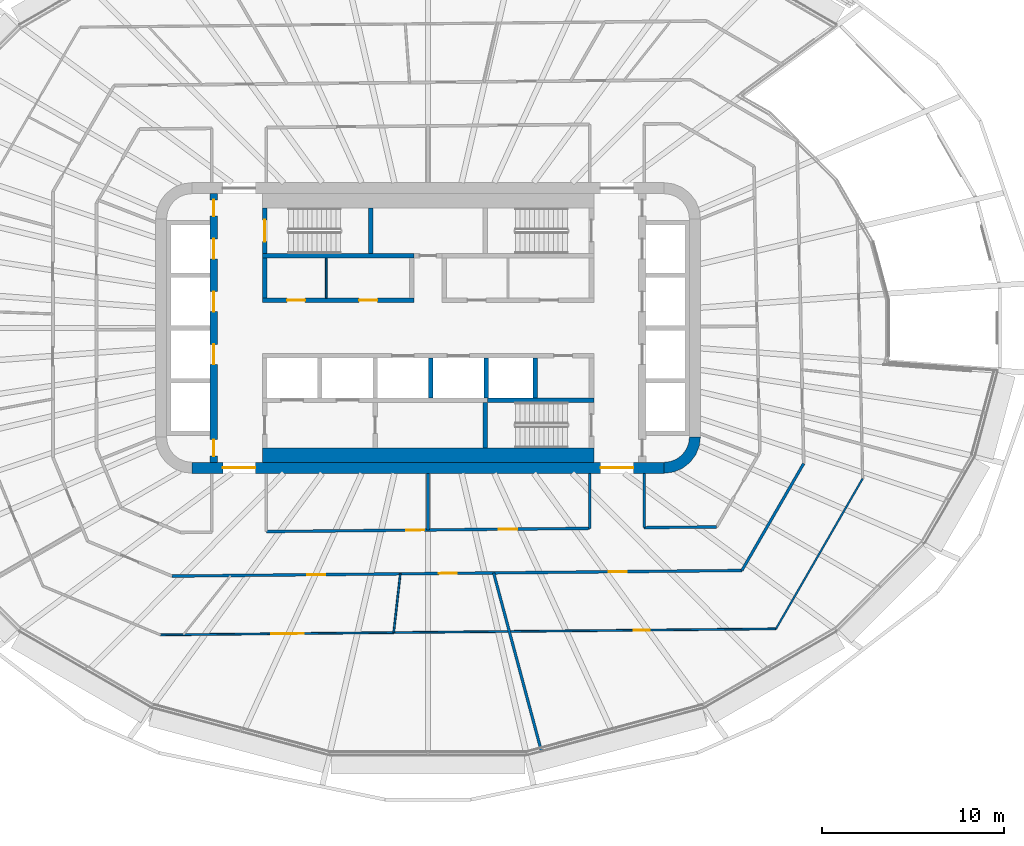
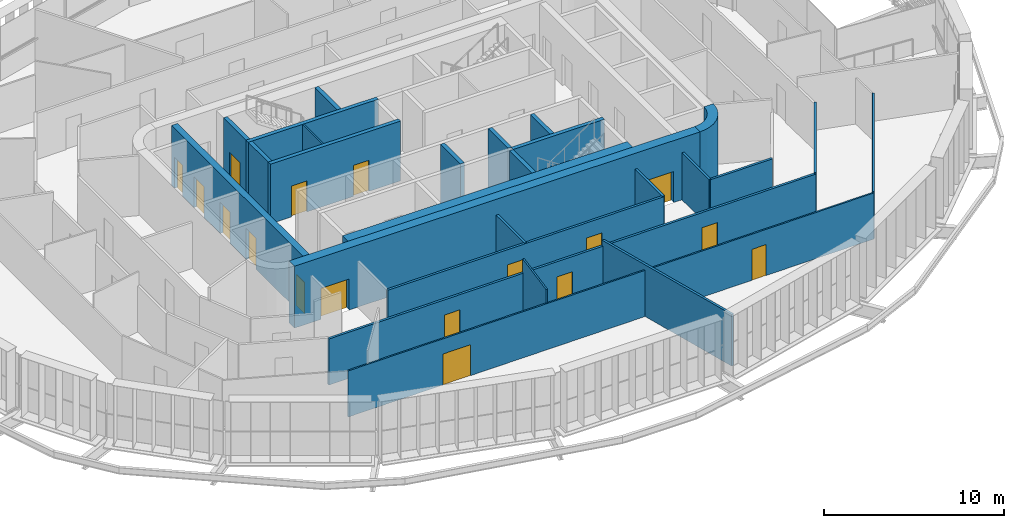
# One storey, part 15 of 28: 26 walls, 17 doors, 17 openings.
"""IFC4 building model written with IfcOpenShell, lengths in metres."""

from ifc_helpers import new_model, si_unit, direction, frame, frame_2d, origin, place, context, subcontext, project, spatial, polyline, rectangle, outline, extrude, material, layer, layer_set, type_object, element, fill, save


model = new_model("IFC4")

# Units and contexts
model_context = context("Model", 3, precision=1e-05, world=origin(), true_north=direction((0.0, 1.0)))
body_context = subcontext(model_context, "Body", "Model", "MODEL_VIEW")
ifc_project = project(units=[si_unit("LENGTHUNIT", "METRE"), si_unit("AREAUNIT", "SQUARE_METRE"), si_unit("VOLUMEUNIT", "CUBIC_METRE"), si_unit("PLANEANGLEUNIT", "RADIAN"), si_unit("MASSUNIT", "GRAM", prefix="KILO")], contexts=[model_context])

# Site, building, storey
site_placement = place(None, origin())
site = spatial("IfcSite", under=ifc_project, at=site_placement, CompositionType="ELEMENT")
building_placement = place(site_placement, origin())
building = spatial("IfcBuilding", under=site, at=building_placement, Name="Sahrelin Media Tower", CompositionType="ELEMENT")
storey_placement = place(building_placement, frame((0.0, 0.0, 75.60009765625)))
storey = spatial("IfcBuildingStorey", under=building, at=storey_placement, Name="L13", CompositionType="ELEMENT", Elevation=75.60009765625)

# Wall, openings, doors
ifc_material_1 = material(Name="Concrete C60/75", Category="concrete")
ifc_layer_1 = layer(ifc_material_1, 0.60009765625)
ifc_layer_set_1 = layer_set([ifc_layer_1], Name="Core wall 600")
wall_type_1 = type_object("IfcWallType", Name="Core wall 600", PredefinedType="SHEAR", material=ifc_layer_set_1)
wall_1_placement = place(storey_placement, frame((-13.0, -7.699951171875, 0.0), z_axis=(0.0, 0.0, 1.0), x_axis=(1.0, 0.0, 0.0)))
wall_1 = element("IfcWall", 1, at=wall_1_placement, inside=storey, type_object=wall_type_1, Name="Core wall S L13", PredefinedType="SHEAR", context=body_context, shape_type="SweptSolid", body=[
    extrude(rectangle(XDim=26.0, YDim=0.60009765625, at=frame_2d((13.0, 0.0))), origin(), (0.0, 0.0, 1.0), 4.199951171875),
])
opening_1_placement = place(wall_1_placement, frame((1.699951171875, 0.0, 0.0)))
opening_1 = element("IfcOpeningElement", 2, at=opening_1_placement, cuts=wall_1, Name="Opening L13-D18", PredefinedType="OPENING", context=body_context, shape_type="SweptSolid", body=[
    extrude(rectangle(XDim=1.800048828125, YDim=2.10009765625, at=frame_2d((0.89990234375, 1.050048828125))), frame((0.0, 0.300048828125, 0.0), z_axis=(0.0, -1.0, 0.0), x_axis=(1.0, 0.0, 0.0)), (0.0, 0.0, 1.0), 0.60009765625),
])
opening_2_placement = place(wall_1_placement, frame((22.5, 0.0, 0.0)))
opening_2 = element("IfcOpeningElement", 3, at=opening_2_placement, cuts=wall_1, Name="Opening L13-D19", PredefinedType="OPENING", context=body_context, shape_type="SweptSolid", body=[
    extrude(rectangle(XDim=1.800048828125, YDim=2.10009765625, at=frame_2d((0.89990234375, 1.050048828125))), frame((0.0, 0.300048828125, 0.0), z_axis=(0.0, -1.0, 0.0), x_axis=(1.0, 0.0, 0.0)), (0.0, 0.0, 1.0), 0.60009765625),
])
ifc_material_2 = material(Name="Steel fire door leaf", Category="steel")
door_type_1 = type_object("IfcDoorType", Name="Lobby double door 1800 x 2100 EI 60", OperationType="DOUBLE_DOOR_SINGLE_SWING", PredefinedType="DOOR", material=ifc_material_2)
door_1_placement = place(opening_1_placement, origin())
door_1 = element("IfcDoor", 4, at=door_1_placement, inside=storey, type_object=door_type_1, Name="Lobby door", OperationType="DOUBLE_DOOR_SINGLE_SWING", OverallHeight=2.10009765625, OverallWidth=1.800048828125, PredefinedType="DOOR", context=body_context, shape_type="SweptSolid", body=[
    extrude(rectangle(XDim=1.800048828125, YDim=2.10009765625, at=frame_2d((0.89990234375, 1.050048828125))), frame((0.0, 0.02490234375, 0.0), z_axis=(0.0, -1.0, 0.0), x_axis=(1.0, 0.0, 0.0)), (0.0, 0.0, 1.0), 0.050048828125),
])
fill(opening_1, door_1)
door_2_placement = place(opening_2_placement, origin())
door_2 = element("IfcDoor", 5, at=door_2_placement, inside=storey, type_object=door_type_1, Name="Lobby door", OperationType="DOUBLE_DOOR_SINGLE_SWING", OverallHeight=2.10009765625, OverallWidth=1.800048828125, PredefinedType="DOOR", context=body_context, shape_type="SweptSolid", body=[
    extrude(rectangle(XDim=1.800048828125, YDim=2.10009765625, at=frame_2d((0.89990234375, 1.050048828125))), frame((0.0, 0.02490234375, 0.0), z_axis=(0.0, -1.0, 0.0), x_axis=(1.0, 0.0, 0.0)), (0.0, 0.0, 1.0), 0.050048828125),
])
fill(opening_2, door_2)

# Wall
wall_2_placement = place(storey_placement, origin())
element("IfcWall", 6, at=wall_2_placement, inside=storey, type_object=wall_type_1, Name="Core wall corner SE L13", PredefinedType="SHEAR", context=body_context, shape_type="SweptSolid", body=[
    extrude(outline(polyline([(15.0, -6.0), (14.394775390625, -6.0), (14.347412109375, -6.361083984375), (14.2080078125, -6.697509765625), (13.986328125, -6.986328125), (13.697509765625, -7.2080078125), (13.361083984375, -7.347412109375), (13.0, -7.394775390625), (13.0, -8.0), (13.517578125, -7.931884765625), (14.0, -7.732177734375), (14.414306640625, -7.414306640625), (14.732177734375, -7.0), (14.931884765625, -6.517578125), (15.0, -6.0)])), origin(), (0.0, 0.0, 1.0), 4.199951171875),
])

# Wall, openings, doors
ifc_material_3 = material(Name="Fire-rated gypsum board partition")
ifc_layer_2 = layer(ifc_material_3, 0.25)
ifc_layer_set_2 = layer_set([ifc_layer_2], Name="Fire-rated lobby wall 250")
wall_type_2 = type_object("IfcWallType", Name="Fire-rated lobby wall 250", PredefinedType="PARTITIONING", material=ifc_layer_set_2)
wall_3_placement = place(storey_placement, frame((-9.125, 1.52490234375, 0.0), z_axis=(0.0, 0.0, 1.0), x_axis=(1.0, 0.0, 0.0)))
wall_3 = element("IfcWall", 7, at=wall_3_placement, inside=storey, type_object=wall_type_2, Name="Core lobby wall", PredefinedType="PARTITIONING", context=body_context, shape_type="SweptSolid", body=[
    extrude(rectangle(XDim=8.35009765625, YDim=0.25, at=frame_2d((4.175048828125, 0.0))), origin(), (0.0, 0.0, 1.0), 4.0498046875),
])
opening_3_placement = place(wall_3_placement, frame((1.362548828125, 0.0, 0.0)))
opening_3 = element("IfcOpeningElement", 8, at=opening_3_placement, cuts=wall_3, Name="Opening L13-D07", PredefinedType="OPENING", context=body_context, shape_type="SweptSolid", body=[
    extrude(rectangle(XDim=1.0, YDim=2.10009765625, at=frame_2d((0.5, 1.050048828125))), frame((0.0, 0.125, 0.0), z_axis=(0.0, -1.0, 0.0), x_axis=(1.0, 0.0, 0.0)), (0.0, 0.0, 1.0), 0.25),
])
opening_4_placement = place(wall_3_placement, frame((5.33740234375, 0.0, 0.0)))
opening_4 = element("IfcOpeningElement", 9, at=opening_4_placement, cuts=wall_3, Name="Opening L13-D08", PredefinedType="OPENING", context=body_context, shape_type="SweptSolid", body=[
    extrude(rectangle(XDim=1.0, YDim=2.10009765625, at=frame_2d((0.5, 1.050048828125))), frame((0.0, 0.125, 0.0), z_axis=(0.0, -1.0, 0.0), x_axis=(1.0, 0.0, 0.0)), (0.0, 0.0, 1.0), 0.25),
])
door_type_2 = type_object("IfcDoorType", Name="Fire door 1000 x 2100 EI 60", OperationType="NOTDEFINED", PredefinedType="DOOR", material=ifc_material_2)
door_3_placement = place(opening_3_placement, origin())
door_3 = element("IfcDoor", 10, at=door_3_placement, inside=storey, type_object=door_type_2, Name="Core room door", OperationType="SINGLE_SWING_LEFT", OverallHeight=2.10009765625, OverallWidth=1.0, PredefinedType="DOOR", context=body_context, shape_type="SweptSolid", body=[
    extrude(rectangle(XDim=1.0, YDim=2.10009765625, at=frame_2d((0.5, 1.050048828125))), frame((0.0, 0.02490234375, 0.0), z_axis=(0.0, -1.0, 0.0), x_axis=(1.0, 0.0, 0.0)), (0.0, 0.0, 1.0), 0.050048828125),
])
fill(opening_3, door_3)
door_4_placement = place(opening_4_placement, origin())
door_4 = element("IfcDoor", 11, at=door_4_placement, inside=storey, type_object=door_type_2, Name="Core room door", OperationType="SINGLE_SWING_LEFT", OverallHeight=2.10009765625, OverallWidth=1.0, PredefinedType="DOOR", context=body_context, shape_type="SweptSolid", body=[
    extrude(rectangle(XDim=1.0, YDim=2.10009765625, at=frame_2d((0.5, 1.050048828125))), frame((0.0, 0.02490234375, 0.0), z_axis=(0.0, -1.0, 0.0), x_axis=(1.0, 0.0, 0.0)), (0.0, 0.0, 1.0), 0.050048828125),
])
fill(opening_4, door_4)

# Walls
wall_4_placement = place(storey_placement, frame((-9.0, 1.64990234375, 0.0), z_axis=(0.0, 0.0, 1.0), x_axis=(0.0, 1.0, 0.0)))
element("IfcWall", 12, at=wall_4_placement, inside=storey, type_object=wall_type_2, Name="Core lobby wall", PredefinedType="PARTITIONING", context=body_context, shape_type="SweptSolid", body=[
    extrude(rectangle(XDim=2.2001953125, YDim=0.25, at=frame_2d((1.10009765625, 0.0))), origin(), (0.0, 0.0, 1.0), 4.0498046875),
])
ifc_layer_3 = layer(ifc_material_3, 0.10009765625)
ifc_layer_set_3 = layer_set([ifc_layer_3], Name="Fire-rated partition 100")
wall_type_3 = type_object("IfcWallType", Name="Fire-rated partition 100", PredefinedType="PARTITIONING", material=ifc_layer_set_3)
wall_5_placement = place(storey_placement, frame((-5.60009765625, 1.64990234375, 0.0), z_axis=(0.0, 0.0, 1.0), x_axis=(0.0, 1.0, 0.0)))
element("IfcWall", 13, at=wall_5_placement, inside=storey, type_object=wall_type_3, Name="Core room partition", PredefinedType="PARTITIONING", context=body_context, shape_type="SweptSolid", body=[
    extrude(rectangle(XDim=2.2001953125, YDim=0.10009765625, at=frame_2d((1.10009765625, 0.0))), origin(), (0.0, 0.0, 1.0), 4.0498046875),
])
ifc_layer_4 = layer(ifc_material_3, 0.14990234375)
ifc_layer_set_4 = layer_set([ifc_layer_4], Name="Fire-rated partition 150")
wall_type_4 = type_object("IfcWallType", Name="Fire-rated partition 150", PredefinedType="PARTITIONING", material=ifc_layer_set_4)
wall_6_placement = place(storey_placement, frame((3.613037109375, -13.485107421875, 0.0), z_axis=(0.0, 0.0, 1.0), x_axis=(0.258799691225, -0.965931011937, 0.0)))
element("IfcWall", 14, at=wall_6_placement, inside=storey, type_object=wall_type_4, Name="Wall", PredefinedType="PARTITIONING", context=body_context, shape_type="SweptSolid", body=[
    extrude(rectangle(XDim=10.16845703125, YDim=0.14990234375, at=frame_2d((5.084228515625, 0.0))), origin(), (0.0, 0.0, 1.0), 3.501708984375),
])

# Wall, openings, doors
wall_7_placement = place(storey_placement, frame((-14.096923828125, -13.660888671875, 0.0), z_axis=(0.0, 0.0, 1.0), x_axis=(0.999950951425, 0.009904279054, 0.0)))
wall_7 = element("IfcWall", 15, at=wall_7_placement, inside=storey, type_object=wall_type_4, Name="Wall", PredefinedType="PARTITIONING", context=body_context, shape_type="SweptSolid", body=[
    extrude(rectangle(XDim=31.37939453125, YDim=0.14990234375, at=frame_2d((15.689697265625, 0.0))), origin(), (0.0, 0.0, 1.0), 3.126953125),
])
opening_5_placement = place(wall_7_placement, frame((7.4501953125, 0.0, 0.0)))
opening_5 = element("IfcOpeningElement", 16, at=opening_5_placement, cuts=wall_7, Name="Opening L13-D33", PredefinedType="OPENING", context=body_context, shape_type="SweptSolid", body=[
    extrude(rectangle(XDim=1.0, YDim=2.10009765625, at=frame_2d((0.5, 1.050048828125))), frame((0.0, 0.074951171875, 0.0), z_axis=(0.0, -1.0, 0.0), x_axis=(1.0, 0.0, 0.0)), (0.0, 0.0, 1.0), 0.14990234375),
])
opening_6_placement = place(wall_7_placement, frame((14.692138671875, 0.0, 0.0)))
opening_6 = element("IfcOpeningElement", 17, at=opening_6_placement, cuts=wall_7, Name="Opening L13-D34", PredefinedType="OPENING", context=body_context, shape_type="SweptSolid", body=[
    extrude(rectangle(XDim=1.0, YDim=2.10009765625, at=frame_2d((0.5, 1.050048828125))), frame((0.0, 0.074951171875, 0.0), z_axis=(0.0, -1.0, 0.0), x_axis=(1.0, 0.0, 0.0)), (0.0, 0.0, 1.0), 0.14990234375),
])
opening_7_placement = place(wall_7_placement, frame((24.045654296875, 0.0, 0.0)))
opening_7 = element("IfcOpeningElement", 18, at=opening_7_placement, cuts=wall_7, Name="Opening L13-D36", PredefinedType="OPENING", context=body_context, shape_type="SweptSolid", body=[
    extrude(rectangle(XDim=1.0, YDim=2.10009765625, at=frame_2d((0.5, 1.050048828125))), frame((0.0, 0.074951171875, 0.0), z_axis=(0.0, -1.0, 0.0), x_axis=(1.0, 0.0, 0.0)), (0.0, 0.0, 1.0), 0.14990234375),
])
door_5_placement = place(opening_5_placement, origin())
door_5 = element("IfcDoor", 19, at=door_5_placement, inside=storey, type_object=door_type_2, Name="Fire door", OperationType="SINGLE_SWING_LEFT", OverallHeight=2.10009765625, OverallWidth=1.0, PredefinedType="DOOR", context=body_context, shape_type="SweptSolid", body=[
    extrude(rectangle(XDim=1.0, YDim=2.10009765625, at=frame_2d((0.5, 1.050048828125))), frame((0.0, 0.02490234375, 0.0), z_axis=(0.0, -1.0, 0.0), x_axis=(1.0, 0.0, 0.0)), (0.0, 0.0, 1.0), 0.050048828125),
])
fill(opening_5, door_5)
door_6_placement = place(opening_6_placement, origin())
door_6 = element("IfcDoor", 20, at=door_6_placement, inside=storey, type_object=door_type_2, Name="Fire door", OperationType="SINGLE_SWING_LEFT", OverallHeight=2.10009765625, OverallWidth=1.0, PredefinedType="DOOR", context=body_context, shape_type="SweptSolid", body=[
    extrude(rectangle(XDim=1.0, YDim=2.10009765625, at=frame_2d((0.5, 1.050048828125))), frame((0.0, 0.02490234375, 0.0), z_axis=(0.0, -1.0, 0.0), x_axis=(1.0, 0.0, 0.0)), (0.0, 0.0, 1.0), 0.050048828125),
])
fill(opening_6, door_6)
door_7_placement = place(opening_7_placement, origin())
door_7 = element("IfcDoor", 21, at=door_7_placement, inside=storey, type_object=door_type_2, Name="Fire door", OperationType="SINGLE_SWING_LEFT", OverallHeight=2.10009765625, OverallWidth=1.0, PredefinedType="DOOR", context=body_context, shape_type="SweptSolid", body=[
    extrude(rectangle(XDim=1.0, YDim=2.10009765625, at=frame_2d((0.5, 1.050048828125))), frame((0.0, 0.02490234375, 0.0), z_axis=(0.0, -1.0, 0.0), x_axis=(1.0, 0.0, 0.0)), (0.0, 0.0, 1.0), 0.050048828125),
])
fill(opening_7, door_7)

wall_8_placement = place(storey_placement, frame((-8.89990234375, -11.208740234375, 0.0), z_axis=(0.0, 0.0, 1.0), x_axis=(0.999950969978, 0.009902405776, 0.0)))
wall_8 = element("IfcWall", 22, at=wall_8_placement, inside=storey, type_object=wall_type_4, Name="Wall", PredefinedType="PARTITIONING", context=body_context, shape_type="SweptSolid", body=[
    extrude(rectangle(XDim=17.80078125, YDim=0.14990234375, at=frame_2d((8.900390625, 0.0))), origin(), (0.0, 0.0, 1.0), 3.126953125),
])
opening_8_placement = place(wall_8_placement, frame((7.69970703125, 0.0, 0.0)))
opening_8 = element("IfcOpeningElement", 23, at=opening_8_placement, cuts=wall_8, Name="Opening L13-D20", PredefinedType="OPENING", context=body_context, shape_type="SweptSolid", body=[
    extrude(rectangle(XDim=1.0, YDim=2.10009765625, at=frame_2d((0.5, 1.050048828125))), frame((0.0, 0.074951171875, 0.0), z_axis=(0.0, -1.0, 0.0), x_axis=(1.0, 0.0, 0.0)), (0.0, 0.0, 1.0), 0.14990234375),
])
opening_9_placement = place(wall_8_placement, frame((12.80078125, 0.0, 0.0)))
opening_9 = element("IfcOpeningElement", 24, at=opening_9_placement, cuts=wall_8, Name="Opening L13-D21", PredefinedType="OPENING", context=body_context, shape_type="SweptSolid", body=[
    extrude(rectangle(XDim=1.0, YDim=2.10009765625, at=frame_2d((0.5, 1.050048828125))), frame((0.0, 0.074951171875, 0.0), z_axis=(0.0, -1.0, 0.0), x_axis=(1.0, 0.0, 0.0)), (0.0, 0.0, 1.0), 0.14990234375),
])
door_8_placement = place(opening_8_placement, origin())
door_8 = element("IfcDoor", 25, at=door_8_placement, inside=storey, type_object=door_type_2, Name="Fire door", OperationType="SINGLE_SWING_LEFT", OverallHeight=2.10009765625, OverallWidth=1.0, PredefinedType="DOOR", context=body_context, shape_type="SweptSolid", body=[
    extrude(rectangle(XDim=1.0, YDim=2.10009765625, at=frame_2d((0.5, 1.050048828125))), frame((0.0, 0.02490234375, 0.0), z_axis=(0.0, -1.0, 0.0), x_axis=(1.0, 0.0, 0.0)), (0.0, 0.0, 1.0), 0.050048828125),
])
fill(opening_8, door_8)
door_9_placement = place(opening_9_placement, origin())
door_9 = element("IfcDoor", 26, at=door_9_placement, inside=storey, type_object=door_type_2, Name="Fire door", OperationType="SINGLE_SWING_RIGHT", OverallHeight=2.10009765625, OverallWidth=1.0, PredefinedType="DOOR", context=body_context, shape_type="SweptSolid", body=[
    extrude(rectangle(XDim=1.0, YDim=2.10009765625, at=frame_2d((0.5, 1.050048828125))), frame((0.0, 0.02490234375, 0.0), z_axis=(0.0, -1.0, 0.0), x_axis=(1.0, 0.0, 0.0)), (0.0, 0.0, 1.0), 0.050048828125),
])
fill(opening_9, door_9)

# Walls
wall_9_placement = place(storey_placement, frame((11.89990234375, -10.991943359375, 0.0), z_axis=(0.0, 0.0, 1.0), x_axis=(0.999950802569, 0.009919296431, 0.0)))
element("IfcWall", 27, at=wall_9_placement, inside=storey, type_object=wall_type_4, Name="Wall", PredefinedType="PARTITIONING", context=body_context, shape_type="SweptSolid", body=[
    extrude(rectangle(XDim=3.9873046875, YDim=0.14990234375, at=frame_2d((1.99365234375, 0.0))), origin(), (0.0, 0.0, 1.0), 3.195068359375),
])
wall_10_placement = place(storey_placement, frame((17.281005859375, -13.35009765625, 0.0), z_axis=(0.0, 0.0, 1.0), x_axis=(0.500235133997, 0.865889606541, 0.0)))
element("IfcWall", 28, at=wall_10_placement, inside=storey, type_object=wall_type_4, Name="Wall", PredefinedType="PARTITIONING", context=body_context, shape_type="SweptSolid", body=[
    extrude(rectangle(XDim=6.801025390625, YDim=0.14990234375, at=frame_2d((3.400390625, 0.0))), origin(), (0.0, 0.0, 1.0), 3.195068359375),
])
wall_11_placement = place(storey_placement, frame((11.89990234375, -10.991943359375, 0.0), z_axis=(0.0, 0.0, 1.0), x_axis=(0.0, 1.0, 0.0)))
element("IfcWall", 29, at=wall_11_placement, inside=storey, type_object=wall_type_4, Name="Wall", PredefinedType="PARTITIONING", context=body_context, shape_type="SweptSolid", body=[
    extrude(rectangle(XDim=2.991943359375, YDim=0.14990234375, at=frame_2d((1.49609375, 0.0))), origin(), (0.0, 0.0, 1.0), 3.195068359375),
])
wall_12_placement = place(storey_placement, frame((8.89990234375, -11.031982421875, 0.0), z_axis=(0.0, 0.0, 1.0), x_axis=(0.0, 1.0, 0.0)))
element("IfcWall", 30, at=wall_12_placement, inside=storey, type_object=wall_type_4, Name="Wall", PredefinedType="PARTITIONING", context=body_context, shape_type="SweptSolid", body=[
    extrude(rectangle(XDim=3.031982421875, YDim=0.14990234375, at=frame_2d((1.51611328125, 0.0))), origin(), (0.0, 0.0, 1.0), 3.126953125),
])
wall_13_placement = place(storey_placement, frame((0.0, -11.1201171875, 0.0), z_axis=(0.0, 0.0, 1.0), x_axis=(0.0, 1.0, 0.0)))
element("IfcWall", 31, at=wall_13_placement, inside=storey, type_object=wall_type_4, Name="Wall", PredefinedType="PARTITIONING", context=body_context, shape_type="SweptSolid", body=[
    extrude(rectangle(XDim=3.1201171875, YDim=0.14990234375, at=frame_2d((1.56005859375, 0.0))), origin(), (0.0, 0.0, 1.0), 3.126953125),
])
ifc_layer_5 = layer(ifc_material_1, 0.25)
ifc_layer_set_5 = layer_set([ifc_layer_5], Name="Lift shaft wall 250")
wall_type_5 = type_object("IfcWallType", Name="Lift shaft wall 250", PredefinedType="SOLIDWALL", material=ifc_layer_set_5)
wall_14_placement = place(storey_placement, frame((3.27490234375, -3.97509765625, 0.0), z_axis=(0.0, 0.0, 1.0), x_axis=(1.0, 0.0, 0.0)))
element("IfcWall", 32, at=wall_14_placement, inside=storey, type_object=wall_type_5, Name="Lift shaft wall", PredefinedType="SOLIDWALL", context=body_context, shape_type="SweptSolid", body=[
    extrude(rectangle(XDim=5.85009765625, YDim=0.25, at=frame_2d((2.925048828125, 0.0))), origin(), (0.0, 0.0, 1.0), 4.0498046875),
])
for number, where, z_axis, x_axis, name in (
    (33, (0.14990234375, -3.85009765625, 0.0), (0.0, 0.0, 1.0), (0.0, 1.0, 0.0), "Lift shaft wall"),
    (34, (3.199951171875, -3.85009765625, 0.0), (0.0, 0.0, 1.0), (0.0, 1.0, 0.0), "Lift shaft wall"),
    (35, (5.89990234375, -3.85009765625, 0.0), (0.0, 0.0, 1.0), (0.0, 1.0, 0.0), "Lift shaft wall"),
):
    element("IfcWall", number, at=place(storey_placement, frame(where, z_axis=z_axis, x_axis=x_axis)), inside=storey, type_object=wall_type_5, Name=name, PredefinedType="SOLIDWALL", context=body_context, shape_type="SweptSolid", body=[
        extrude(rectangle(XDim=2.2001953125, YDim=0.25, at=frame_2d((1.10009765625, 0.0))), origin(), (0.0, 0.0, 1.0), 4.0498046875),
    ])

# Wall, openings, doors
ifc_layer_6 = layer(ifc_material_1, 0.39990234375)
ifc_layer_set_6 = layer_set([ifc_layer_6], Name="Lift shaft wall 400")
wall_type_6 = type_object("IfcWallType", Name="Lift shaft wall 400", PredefinedType="SOLIDWALL", material=ifc_layer_set_6)
wall_15_placement = place(storey_placement, frame((-11.800048828125, -7.39990234375, 0.0), z_axis=(0.0, 0.0, 1.0), x_axis=(0.0, 1.0, 0.0)))
wall_15 = element("IfcWall", 36, at=wall_15_placement, inside=storey, type_object=wall_type_6, Name="Lift shaft wall", PredefinedType="SOLIDWALL", context=body_context, shape_type="SweptSolid", body=[
    extrude(rectangle(XDim=14.7998046875, YDim=0.39990234375, at=frame_2d((7.39990234375, 0.0))), origin(), (0.0, 0.0, 1.0), 4.0498046875),
])
opening_10_placement = place(wall_15_placement, frame((11.199951171875, 0.0, 0.0)))
opening_10 = element("IfcOpeningElement", 37, at=opening_10_placement, cuts=wall_15, Name="Opening L13-LD-LR1", PredefinedType="OPENING", context=body_context, shape_type="SweptSolid", body=[
    extrude(rectangle(XDim=1.10009765625, YDim=2.10009765625, at=frame_2d((0.550048828125, 1.050048828125))), frame((0.0, 0.199951171875, 0.0), z_axis=(0.0, -1.0, 0.0), x_axis=(1.0, 0.0, 0.0)), (0.0, 0.0, 1.0), 0.39990234375),
])
opening_11_placement = place(wall_15_placement, frame((8.300048828125, 0.0, 0.0)))
opening_11 = element("IfcOpeningElement", 38, at=opening_11_placement, cuts=wall_15, Name="Opening L13-LD-LR2", PredefinedType="OPENING", context=body_context, shape_type="SweptSolid", body=[
    extrude(rectangle(XDim=1.10009765625, YDim=2.10009765625, at=frame_2d((0.550048828125, 1.050048828125))), frame((0.0, 0.199951171875, 0.0), z_axis=(0.0, -1.0, 0.0), x_axis=(1.0, 0.0, 0.0)), (0.0, 0.0, 1.0), 0.39990234375),
])
opening_12_placement = place(wall_15_placement, frame((5.39990234375, 0.0, 0.0)))
opening_12 = element("IfcOpeningElement", 39, at=opening_12_placement, cuts=wall_15, Name="Opening L13-LD-LR3", PredefinedType="OPENING", context=body_context, shape_type="SweptSolid", body=[
    extrude(rectangle(XDim=1.10009765625, YDim=2.10009765625, at=frame_2d((0.550048828125, 1.050048828125))), frame((0.0, 0.199951171875, 0.0), z_axis=(0.0, -1.0, 0.0), x_axis=(1.0, 0.0, 0.0)), (0.0, 0.0, 1.0), 0.39990234375),
])
opening_13_placement = place(wall_15_placement, frame((13.552490234375, 0.0, 0.0)))
opening_13 = element("IfcOpeningElement", 40, at=opening_13_placement, cuts=wall_15, Name="Opening L13-D12", PredefinedType="OPENING", context=body_context, shape_type="SweptSolid", body=[
    extrude(rectangle(XDim=0.89990234375, YDim=2.10009765625, at=frame_2d((0.449951171875, 1.050048828125))), frame((0.0, 0.199951171875, 0.0), z_axis=(0.0, -1.0, 0.0), x_axis=(1.0, 0.0, 0.0)), (0.0, 0.0, 1.0), 0.39990234375),
])
opening_14_placement = place(wall_15_placement, frame((0.347412109375, 0.0, 0.0)))
opening_14 = element("IfcOpeningElement", 41, at=opening_14_placement, cuts=wall_15, Name="Opening L13-D13", PredefinedType="OPENING", context=body_context, shape_type="SweptSolid", body=[
    extrude(rectangle(XDim=0.89990234375, YDim=2.10009765625, at=frame_2d((0.449951171875, 1.050048828125))), frame((0.0, 0.199951171875, 0.0), z_axis=(0.0, -1.0, 0.0), x_axis=(1.0, 0.0, 0.0)), (0.0, 0.0, 1.0), 0.39990234375),
])
ifc_material_4 = material(Name="Stainless steel", Category="steel")
door_type_3 = type_object("IfcDoorType", Name="Lift landing door 1100 x 2100 EI 120", OperationType="DOUBLE_DOOR_SLIDING", PredefinedType="DOOR", material=ifc_material_4)
door_10_placement = place(opening_10_placement, origin())
door_10 = element("IfcDoor", 42, at=door_10_placement, inside=storey, type_object=door_type_3, Name="Lift landing door LR1", OperationType="DOUBLE_DOOR_SLIDING", OverallHeight=2.10009765625, OverallWidth=1.10009765625, PredefinedType="DOOR", context=body_context, shape_type="SweptSolid", body=[
    extrude(rectangle(XDim=1.10009765625, YDim=2.10009765625, at=frame_2d((0.550048828125, 1.050048828125))), frame((0.0, 0.02490234375, 0.0), z_axis=(0.0, -1.0, 0.0), x_axis=(1.0, 0.0, 0.0)), (0.0, 0.0, 1.0), 0.050048828125),
])
fill(opening_10, door_10)
door_11_placement = place(opening_11_placement, origin())
door_11 = element("IfcDoor", 43, at=door_11_placement, inside=storey, type_object=door_type_3, Name="Lift landing door LR2", OperationType="DOUBLE_DOOR_SLIDING", OverallHeight=2.10009765625, OverallWidth=1.10009765625, PredefinedType="DOOR", context=body_context, shape_type="SweptSolid", body=[
    extrude(rectangle(XDim=1.10009765625, YDim=2.10009765625, at=frame_2d((0.550048828125, 1.050048828125))), frame((0.0, 0.02490234375, 0.0), z_axis=(0.0, -1.0, 0.0), x_axis=(1.0, 0.0, 0.0)), (0.0, 0.0, 1.0), 0.050048828125),
])
fill(opening_11, door_11)
door_12_placement = place(opening_12_placement, origin())
door_12 = element("IfcDoor", 44, at=door_12_placement, inside=storey, type_object=door_type_3, Name="Lift landing door LR3", OperationType="DOUBLE_DOOR_SLIDING", OverallHeight=2.10009765625, OverallWidth=1.10009765625, PredefinedType="DOOR", context=body_context, shape_type="SweptSolid", body=[
    extrude(rectangle(XDim=1.10009765625, YDim=2.10009765625, at=frame_2d((0.550048828125, 1.050048828125))), frame((0.0, 0.02490234375, 0.0), z_axis=(0.0, -1.0, 0.0), x_axis=(1.0, 0.0, 0.0)), (0.0, 0.0, 1.0), 0.050048828125),
])
fill(opening_12, door_12)
door_type_4 = type_object("IfcDoorType", Name="Riser door 900 x 2100 EI 120", OperationType="NOTDEFINED", PredefinedType="DOOR", material=ifc_material_2)
door_13_placement = place(opening_13_placement, origin())
door_13 = element("IfcDoor", 45, at=door_13_placement, inside=storey, type_object=door_type_4, Name="Riser door", OperationType="SINGLE_SWING_LEFT", OverallHeight=2.10009765625, OverallWidth=0.89990234375, PredefinedType="DOOR", context=body_context, shape_type="SweptSolid", body=[
    extrude(rectangle(XDim=0.89990234375, YDim=2.10009765625, at=frame_2d((0.449951171875, 1.050048828125))), frame((0.0, 0.02490234375, 0.0), z_axis=(0.0, -1.0, 0.0), x_axis=(1.0, 0.0, 0.0)), (0.0, 0.0, 1.0), 0.050048828125),
])
fill(opening_13, door_13)
door_14_placement = place(opening_14_placement, origin())
door_14 = element("IfcDoor", 46, at=door_14_placement, inside=storey, type_object=door_type_4, Name="Riser door", OperationType="SINGLE_SWING_LEFT", OverallHeight=2.10009765625, OverallWidth=0.89990234375, PredefinedType="DOOR", context=body_context, shape_type="SweptSolid", body=[
    extrude(rectangle(XDim=0.89990234375, YDim=2.10009765625, at=frame_2d((0.449951171875, 1.050048828125))), frame((0.0, 0.02490234375, 0.0), z_axis=(0.0, -1.0, 0.0), x_axis=(1.0, 0.0, 0.0)), (0.0, 0.0, 1.0), 0.050048828125),
])
fill(opening_14, door_14)

ifc_material_5 = material(Name="Gypsum board partition")
ifc_layer_7 = layer(ifc_material_5, 0.10009765625)
ifc_layer_set_7 = layer_set([ifc_layer_7], Name="Partition 100")
wall_type_7 = type_object("IfcWallType", Name="Partition 100", PredefinedType="PARTITIONING", material=ifc_layer_set_7)
wall_16_placement = place(storey_placement, frame((-14.72412109375, -16.89697265625, 0.0), z_axis=(0.0, 0.0, 1.0), x_axis=(0.999951488976, 0.00984985758, 0.0)))
wall_16 = element("IfcWall", 47, at=wall_16_placement, inside=storey, type_object=wall_type_7, Name="Wall", PredefinedType="PARTITIONING", context=body_context, shape_type="SweptSolid", body=[
    extrude(rectangle(XDim=33.8828125, YDim=0.10009765625, at=frame_2d((16.94140625, 0.0))), origin(), (0.0, 0.0, 1.0), 3.126953125),
])
opening_15_placement = place(wall_16_placement, frame((6.094970703125, 0.0, 0.0)))
opening_15 = element("IfcOpeningElement", 48, at=opening_15_placement, cuts=wall_16, Name="Opening L13-D35", PredefinedType="OPENING", context=body_context, shape_type="SweptSolid", body=[
    extrude(rectangle(XDim=1.800048828125, YDim=2.10009765625, at=frame_2d((0.89990234375, 1.050048828125))), frame((0.0, 0.050048828125, 0.0), z_axis=(0.0, -1.0, 0.0), x_axis=(1.0, 0.0, 0.0)), (0.0, 0.0, 1.0), 0.10009765625),
])
opening_16_placement = place(wall_16_placement, frame((26.041015625, 0.0, 0.0)))
opening_16 = element("IfcOpeningElement", 49, at=opening_16_placement, cuts=wall_16, Name="Opening L13-D37", PredefinedType="OPENING", context=body_context, shape_type="SweptSolid", body=[
    extrude(rectangle(XDim=0.89990234375, YDim=2.10009765625, at=frame_2d((0.449951171875, 1.050048828125))), frame((0.0, 0.050048828125, 0.0), z_axis=(0.0, -1.0, 0.0), x_axis=(1.0, 0.0, 0.0)), (0.0, 0.0, 1.0), 0.10009765625),
])
ifc_material_6 = material(Name="Timber door leaf", Category="wood")
door_type_5 = type_object("IfcDoorType", Name="Double door 1800 x 2100", OperationType="DOUBLE_DOOR_SINGLE_SWING", PredefinedType="DOOR", material=ifc_material_6)
door_15_placement = place(opening_15_placement, origin())
door_15 = element("IfcDoor", 50, at=door_15_placement, inside=storey, type_object=door_type_5, Name="Double door", OperationType="DOUBLE_DOOR_SINGLE_SWING", OverallHeight=2.10009765625, OverallWidth=1.800048828125, PredefinedType="DOOR", context=body_context, shape_type="SweptSolid", body=[
    extrude(rectangle(XDim=1.800048828125, YDim=2.10009765625, at=frame_2d((0.89990234375, 1.050048828125))), frame((0.0, 0.02490234375, 0.0), z_axis=(0.0, -1.0, 0.0), x_axis=(1.0, 0.0, 0.0)), (0.0, 0.0, 1.0), 0.050048828125),
])
fill(opening_15, door_15)
door_type_6 = type_object("IfcDoorType", Name="Single door 900 x 2100", OperationType="NOTDEFINED", PredefinedType="DOOR", material=ifc_material_6)
door_16_placement = place(opening_16_placement, origin())
door_16 = element("IfcDoor", 51, at=door_16_placement, inside=storey, type_object=door_type_6, Name="Single door", OperationType="SINGLE_SWING_LEFT", OverallHeight=2.10009765625, OverallWidth=0.89990234375, PredefinedType="DOOR", context=body_context, shape_type="SweptSolid", body=[
    extrude(rectangle(XDim=0.89990234375, YDim=2.10009765625, at=frame_2d((0.449951171875, 1.050048828125))), frame((0.0, 0.02490234375, 0.0), z_axis=(0.0, -1.0, 0.0), x_axis=(1.0, 0.0, 0.0)), (0.0, 0.0, 1.0), 0.050048828125),
])
fill(opening_16, door_16)

# Walls
wall_17_placement = place(storey_placement, frame((19.156982421875, -16.56201171875, 0.0), z_axis=(0.0, 0.0, 1.0), x_axis=(0.499904728141, 0.866080402031, 0.0)))
element("IfcWall", 52, at=wall_17_placement, inside=storey, type_object=wall_type_7, Name="Wall", PredefinedType="PARTITIONING", context=body_context, shape_type="SweptSolid", body=[
    extrude(rectangle(XDim=9.546142578125, YDim=0.10009765625, at=frame_2d((4.77294921875, 0.0))), origin(), (0.0, 0.0, 1.0), 3.195068359375),
])
wall_18_placement = place(storey_placement, frame((-1.889892578125, -16.77001953125, 0.0), z_axis=(0.0, 0.0, 1.0), x_axis=(0.112143845044, 0.993691983473, 0.0)))
element("IfcWall", 53, at=wall_18_placement, inside=storey, type_object=wall_type_7, Name="Wall", PredefinedType="PARTITIONING", context=body_context, shape_type="SweptSolid", body=[
    extrude(rectangle(XDim=3.254638671875, YDim=0.10009765625, at=frame_2d((1.62744140625, 0.0))), origin(), (0.0, 0.0, 1.0), 4.0498046875),
])

# Wall, opening, door
ifc_layer_8 = layer(ifc_material_1, 0.25)
ifc_layer_set_8 = layer_set([ifc_layer_8], Name="Stair enclosure wall 250")
wall_type_8 = type_object("IfcWallType", Name="Stair enclosure wall 250", PredefinedType="SOLIDWALL", material=ifc_layer_set_8)
wall_19_placement = place(storey_placement, frame((-9.0, 4.10009765625, 0.0), z_axis=(0.0, 0.0, 1.0), x_axis=(0.0, 1.0, 0.0)))
wall_19 = element("IfcWall", 54, at=wall_19_placement, inside=storey, type_object=wall_type_8, Name="Stair enclosure wall", PredefinedType="SOLIDWALL", context=body_context, shape_type="SweptSolid", body=[
    extrude(rectangle(XDim=2.5, YDim=0.25, at=frame_2d((1.25, 0.0))), origin(), (0.0, 0.0, 1.0), 4.0498046875),
])
opening_17_placement = place(wall_19_placement, frame((0.64990234375, 0.0, 0.0)))
opening_17 = element("IfcOpeningElement", 55, at=opening_17_placement, cuts=wall_19, Name="Opening L13-D01", PredefinedType="OPENING", context=body_context, shape_type="SweptSolid", body=[
    extrude(rectangle(XDim=1.199951171875, YDim=2.10009765625, at=frame_2d((0.60009765625, 1.050048828125))), frame((0.0, 0.125, 0.0), z_axis=(0.0, -1.0, 0.0), x_axis=(1.0, 0.0, 0.0)), (0.0, 0.0, 1.0), 0.25),
])
door_type_7 = type_object("IfcDoorType", Name="Stair door 1200 x 2100 EI 120", OperationType="NOTDEFINED", PredefinedType="DOOR", material=ifc_material_2)
door_17_placement = place(opening_17_placement, origin())
door_17 = element("IfcDoor", 56, at=door_17_placement, inside=storey, type_object=door_type_7, Name="Stair door ST1", OperationType="SINGLE_SWING_RIGHT", OverallHeight=2.10009765625, OverallWidth=1.199951171875, PredefinedType="DOOR", context=body_context, shape_type="SweptSolid", body=[
    extrude(rectangle(XDim=1.199951171875, YDim=2.10009765625, at=frame_2d((0.60009765625, 1.050048828125))), frame((0.0, 0.02490234375, 0.0), z_axis=(0.0, -1.0, 0.0), x_axis=(1.0, 0.0, 0.0)), (0.0, 0.0, 1.0), 0.050048828125),
])
fill(opening_17, door_17)

# Walls
for number, where, z_axis, x_axis, name in (
    (57, (-3.14990234375, 4.10009765625, 0.0), (0.0, 0.0, 1.0), (0.0, 1.0, 0.0), "Stair enclosure wall"),
    (58, (3.14990234375, -6.60009765625, 0.0), (0.0, 0.0, 1.0), (0.0, 1.0, 0.0), "Stair enclosure wall"),
):
    element("IfcWall", number, at=place(storey_placement, frame(where, z_axis=z_axis, x_axis=x_axis)), inside=storey, type_object=wall_type_8, Name=name, PredefinedType="SOLIDWALL", context=body_context, shape_type="SweptSolid", body=[
        extrude(rectangle(XDim=2.5, YDim=0.25, at=frame_2d((1.25, 0.0))), origin(), (0.0, 0.0, 1.0), 4.0498046875),
    ])
wall_20_placement = place(storey_placement, frame((-9.125, 3.97509765625, 0.0), z_axis=(0.0, 0.0, 1.0), x_axis=(1.0, 0.0, 0.0)))
element("IfcWall", 59, at=wall_20_placement, inside=storey, type_object=wall_type_8, Name="Stair enclosure wall", PredefinedType="SOLIDWALL", context=body_context, shape_type="SweptSolid", body=[
    extrude(rectangle(XDim=8.35009765625, YDim=0.25, at=frame_2d((4.175048828125, 0.0))), origin(), (0.0, 0.0, 1.0), 4.0498046875),
])
ifc_layer_9 = layer(ifc_material_1, 0.800048828125)
ifc_layer_set_9 = layer_set([ifc_layer_9], Name="Stair enclosure wall 800")
wall_type_9 = type_object("IfcWallType", Name="Stair enclosure wall 800", PredefinedType="SOLIDWALL", material=ifc_layer_set_9)
wall_21_placement = place(storey_placement, frame((-9.125, -7.0, 0.0), z_axis=(0.0, 0.0, 1.0), x_axis=(1.0, 0.0, 0.0)))
element("IfcWall", 60, at=wall_21_placement, inside=storey, type_object=wall_type_9, Name="Stair enclosure wall", PredefinedType="SOLIDWALL", context=body_context, shape_type="SweptSolid", body=[
    extrude(rectangle(XDim=18.25, YDim=0.800048828125, at=frame_2d((9.125, 0.0))), origin(), (0.0, 0.0, 1.0), 4.0498046875),
])

save(model, "model.ifc")
